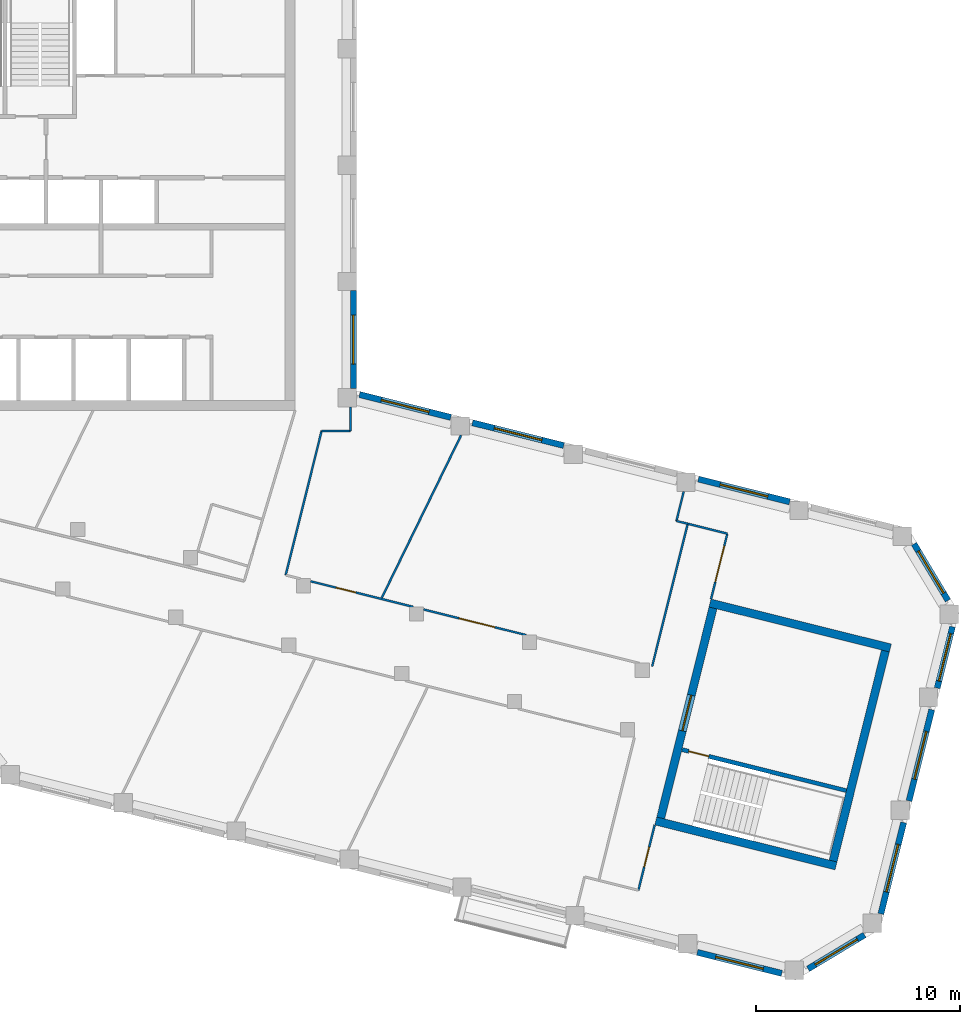
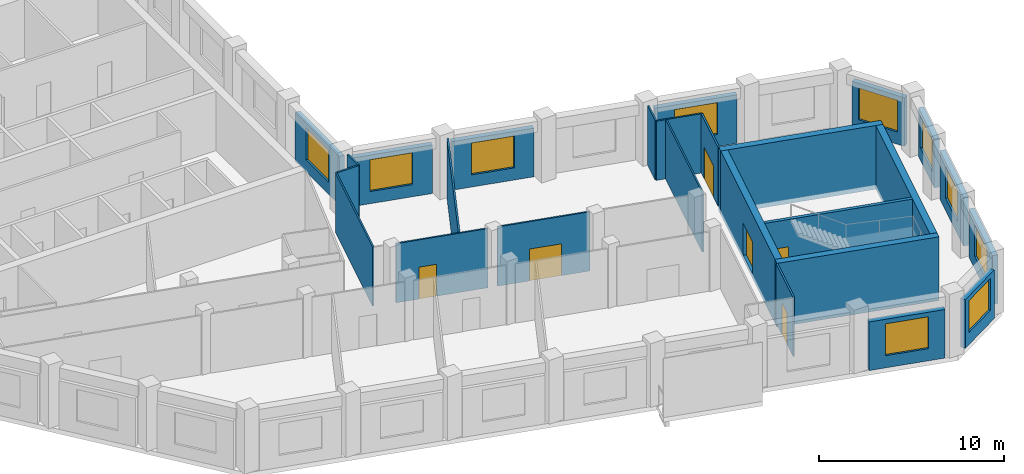
# One storey, part 4 of 8: 27 walls, 10 windows, 6 doors, 16 openings.
"""IFC4 building model written with IfcOpenShell, lengths in metres."""

from ifc_helpers import new_model, si_unit, direction, frame, frame_2d, origin, place, context, subcontext, project, spatial, rectangle, extrude, material, layer, layer_set, type_object, element, fill, save


model = new_model("IFC4")

# Units and contexts
model_context = context("Model", 3, precision=1e-05, world=origin(), true_north=direction((0.0, 1.0)))
body_context = subcontext(model_context, "Body", "Model", "MODEL_VIEW")
ifc_project = project(units=[si_unit("LENGTHUNIT", "METRE"), si_unit("AREAUNIT", "SQUARE_METRE"), si_unit("VOLUMEUNIT", "CUBIC_METRE"), si_unit("PLANEANGLEUNIT", "RADIAN"), si_unit("MASSUNIT", "GRAM", prefix="KILO")], contexts=[model_context])

# Site, building, storey
site_placement = place(None, origin())
site = spatial("IfcSite", under=ifc_project, at=site_placement, CompositionType="ELEMENT")
building_placement = place(site_placement, origin())
building = spatial("IfcBuilding", under=site, at=building_placement, Name="Meshkara Civic Tower", CompositionType="ELEMENT")
storey_placement = place(building_placement, frame((0.0, 0.0, 366.60009765625)))
storey = spatial("IfcBuildingStorey", under=building, at=storey_placement, Name="L84", CompositionType="ELEMENT", Elevation=366.60009765625)

# Wall
ifc_material_1 = material(Name="Corridor wall 100")
ifc_layer_1 = layer(ifc_material_1, 0.10009765625)
ifc_layer_set_1 = layer_set([ifc_layer_1], Name="Corridor wall 100")
wall_type_1 = type_object("IfcWallType", Name="Corridor wall 100", PredefinedType="PARTITIONING", material=ifc_layer_set_1)
wall_1_placement = place(storey_placement, frame((30.3359375, 6.0400390625, 0.0), z_axis=(0.0, 0.0, 1.0), x_axis=(0.2420145387, 0.970272623059, 0.0)))
element("IfcWall", 1, at=wall_1_placement, inside=storey, type_object=wall_type_1, Name="L84-W021", PredefinedType="PARTITIONING", context=body_context, shape_type="SweptSolid", body=[
    extrude(rectangle(XDim=7.2763671875, YDim=0.10009765625, at=frame_2d((3.63818359375, 0.0))), origin(), (0.0, 0.0, 1.0), 3.89990234375),
])

# Wall, opening, door
wall_2_placement = place(storey_placement, frame((31.56103515625, 5.735107421875, 0.0), z_axis=(0.0, 0.0, 1.0), x_axis=(0.970267382462, -0.242035548071, 0.0)))
wall_2 = element("IfcWall", 2, at=wall_2_placement, inside=storey, type_object=wall_type_1, Name="L84-W025", PredefinedType="PARTITIONING", context=body_context, shape_type="SweptSolid", body=[
    extrude(rectangle(XDim=5.169677734375, YDim=0.10009765625, at=frame_2d((2.5849609375, 0.0))), origin(), (0.0, 0.0, 1.0), 3.89990234375),
])
opening_1_placement = place(wall_2_placement, frame((1.280029296875, 0.0, 0.0)))
opening_1 = element("IfcOpeningElement", 3, at=opening_1_placement, cuts=wall_2, Name="Opening L84-D004", PredefinedType="OPENING", context=body_context, shape_type="SweptSolid", body=[
    extrude(rectangle(XDim=1.0, YDim=2.10009765625, at=frame_2d((0.5, 1.050048828125))), frame((0.0, 0.06005859375, 0.0), z_axis=(0.0, -1.0, 0.0), x_axis=(1.0, 0.0, 0.0)), (0.0, 0.0, 1.0), 0.1201171875),
])
ifc_material_2 = material(Name="Door 1000 x 2100")
door_type_1 = type_object("IfcDoorType", Name="Door 1000 x 2100", OperationType="SINGLE_SWING_LEFT", PredefinedType="DOOR", material=ifc_material_2)
door_1_placement = place(opening_1_placement, origin())
door_1 = element("IfcDoor", 4, at=door_1_placement, inside=storey, type_object=door_type_1, Name="L84-D004", OperationType="SINGLE_SWING_LEFT", OverallHeight=2.10009765625, OverallWidth=1.0, PredefinedType="DOOR", context=body_context, shape_type="SweptSolid", body=[
    extrude(rectangle(XDim=1.0, YDim=2.10009765625, at=frame_2d((0.5, 1.050048828125))), frame((0.0, 0.02490234375, 0.0), z_axis=(0.0, -1.0, 0.0), x_axis=(1.0, 0.0, 0.0)), (0.0, 0.0, 1.0), 0.050048828125),
])
fill(opening_1, door_1)

# Walls
wall_3_placement = place(storey_placement, frame((32.096923828125, 13.10009765625, 0.0), z_axis=(0.0, 0.0, 1.0), x_axis=(1.0, 0.0, 0.0)))
element("IfcWall", 5, at=wall_3_placement, inside=storey, type_object=wall_type_1, Name="L84-W026", PredefinedType="PARTITIONING", context=body_context, shape_type="SweptSolid", body=[
    extrude(rectangle(XDim=1.403076171875, YDim=0.10009765625, at=frame_2d((0.70166015625, 0.0))), origin(), (0.0, 0.0, 1.0), 3.89990234375),
])
wall_4_placement = place(storey_placement, frame((33.5, 13.10009765625, 0.0), z_axis=(0.0, 0.0, 1.0), x_axis=(0.0, 1.0, 0.0)))
element("IfcWall", 6, at=wall_4_placement, inside=storey, type_object=wall_type_1, Name="L84-W027", PredefinedType="PARTITIONING", context=body_context, shape_type="SweptSolid", body=[
    extrude(rectangle(XDim=1.1689453125, YDim=0.10009765625, at=frame_2d((0.58447265625, 0.0))), origin(), (0.0, 0.0, 1.0), 3.89990234375),
])

# Wall, opening, door
wall_5_placement = place(storey_placement, frame((42.10888671875, 3.10498046875, 0.0), z_axis=(0.0, 0.0, 1.0), x_axis=(-0.970289531541, 0.241946739969, 0.0)))
wall_5 = element("IfcWall", 7, at=wall_5_placement, inside=storey, type_object=wall_type_1, Name="L84-W030", PredefinedType="PARTITIONING", context=body_context, shape_type="SweptSolid", body=[
    extrude(rectangle(XDim=5.17041015625, YDim=0.10009765625, at=frame_2d((2.585205078125, 0.0))), origin(), (0.0, 0.0, 1.0), 3.89990234375),
])
opening_2_placement = place(wall_5_placement, frame((1.580078125, 0.0, 0.0)))
opening_2 = element("IfcOpeningElement", 8, at=opening_2_placement, cuts=wall_5, Name="Opening L84-D006", PredefinedType="OPENING", context=body_context, shape_type="SweptSolid", body=[
    extrude(rectangle(XDim=1.800048828125, YDim=2.10009765625, at=frame_2d((0.89990234375, 1.050048828125))), frame((0.0, 0.06005859375, 0.0), z_axis=(0.0, -1.0, 0.0), x_axis=(1.0, 0.0, 0.0)), (0.0, 0.0, 1.0), 0.1201171875),
])
ifc_material_3 = material(Name="Door pair 1800 x 2100")
door_type_2 = type_object("IfcDoorType", Name="Door pair 1800 x 2100", OperationType="SINGLE_SWING_LEFT", PredefinedType="DOOR", material=ifc_material_3)
door_2_placement = place(opening_2_placement, origin())
door_2 = element("IfcDoor", 9, at=door_2_placement, inside=storey, type_object=door_type_2, Name="L84-D006", OperationType="DOUBLE_DOOR_SINGLE_SWING", OverallHeight=2.10009765625, OverallWidth=1.800048828125, PredefinedType="DOOR", context=body_context, shape_type="SweptSolid", body=[
    extrude(rectangle(XDim=1.800048828125, YDim=2.10009765625, at=frame_2d((0.89990234375, 1.050048828125))), frame((0.0, 0.02490234375, 0.0), z_axis=(0.0, -1.0, 0.0), x_axis=(1.0, 0.0, 0.0)), (0.0, 0.0, 1.0), 0.050048828125),
])
fill(opening_2, door_2)

wall_6_placement = place(storey_placement, frame((47.611083984375, -9.39697265625, 0.0), z_axis=(0.0, 0.0, 1.0), x_axis=(0.241786986316, 0.970329352977, 0.0)))
wall_6 = element("IfcWall", 10, at=wall_6_placement, inside=storey, type_object=wall_type_1, Name="L84-W033", PredefinedType="PARTITIONING", context=body_context, shape_type="SweptSolid", body=[
    extrude(rectangle(XDim=3.2998046875, YDim=0.10009765625, at=frame_2d((1.64990234375, 0.0))), origin(), (0.0, 0.0, 1.0), 3.89990234375),
])
opening_3_placement = place(wall_6_placement, frame((1.179931640625, 0.0, 0.0)))
opening_3 = element("IfcOpeningElement", 11, at=opening_3_placement, cuts=wall_6, Name="Opening L84-D001", PredefinedType="OPENING", context=body_context, shape_type="SweptSolid", body=[
    extrude(rectangle(XDim=1.0, YDim=2.10009765625, at=frame_2d((0.5, 1.050048828125))), frame((0.0, 0.06005859375, 0.0), z_axis=(0.0, -1.0, 0.0), x_axis=(1.0, 0.0, 0.0)), (0.0, 0.0, 1.0), 0.1201171875),
])
door_3_placement = place(opening_3_placement, origin())
door_3 = element("IfcDoor", 12, at=door_3_placement, inside=storey, type_object=door_type_1, Name="L84-D001", OperationType="SINGLE_SWING_LEFT", OverallHeight=2.10009765625, OverallWidth=1.0, PredefinedType="DOOR", context=body_context, shape_type="SweptSolid", body=[
    extrude(rectangle(XDim=1.0, YDim=2.10009765625, at=frame_2d((0.5, 1.050048828125))), frame((0.0, 0.02490234375, 0.0), z_axis=(0.0, -1.0, 0.0), x_axis=(1.0, 0.0, 0.0)), (0.0, 0.0, 1.0), 0.050048828125),
])
fill(opening_3, door_3)

# Wall
wall_7_placement = place(storey_placement, frame((50.02490234375, 8.552001953125, 0.0), z_axis=(0.0, 0.0, 1.0), x_axis=(-0.241937193493, -0.970291911955, 0.0)))
element("IfcWall", 13, at=wall_7_placement, inside=storey, type_object=wall_type_1, Name="L84-W035", PredefinedType="PARTITIONING", context=body_context, shape_type="SweptSolid", body=[
    extrude(rectangle(XDim=7.199951171875, YDim=0.10009765625, at=frame_2d((3.60009765625, 0.0))), origin(), (0.0, 0.0, 1.0), 3.89990234375),
])

# Wall, opening, door
wall_8_placement = place(storey_placement, frame((51.1669921875, 4.865966796875, 0.0), z_axis=(0.0, 0.0, 1.0), x_axis=(0.241839284064, 0.97031631991, 0.0)))
wall_8 = element("IfcWall", 14, at=wall_8_placement, inside=storey, type_object=wall_type_1, Name="L84-W036", PredefinedType="PARTITIONING", context=body_context, shape_type="SweptSolid", body=[
    extrude(rectangle(XDim=3.300048828125, YDim=0.10009765625, at=frame_2d((1.64990234375, 0.0))), origin(), (0.0, 0.0, 1.0), 3.89990234375),
])
opening_4_placement = place(wall_8_placement, frame((0.8798828125, 0.0, 0.0)))
opening_4 = element("IfcOpeningElement", 15, at=opening_4_placement, cuts=wall_8, Name="Opening L84-D011", PredefinedType="OPENING", context=body_context, shape_type="SweptSolid", body=[
    extrude(rectangle(XDim=1.800048828125, YDim=2.10009765625, at=frame_2d((0.89990234375, 1.050048828125))), frame((0.0, 0.06005859375, 0.0), z_axis=(0.0, -1.0, 0.0), x_axis=(1.0, 0.0, 0.0)), (0.0, 0.0, 1.0), 0.1201171875),
])
door_4_placement = place(opening_4_placement, origin())
door_4 = element("IfcDoor", 16, at=door_4_placement, inside=storey, type_object=door_type_2, Name="L84-D011", OperationType="DOUBLE_DOOR_SINGLE_SWING", OverallHeight=2.10009765625, OverallWidth=1.800048828125, PredefinedType="DOOR", context=body_context, shape_type="SweptSolid", body=[
    extrude(rectangle(XDim=1.800048828125, YDim=2.10009765625, at=frame_2d((0.89990234375, 1.050048828125))), frame((0.0, 0.02490234375, 0.0), z_axis=(0.0, -1.0, 0.0), x_axis=(1.0, 0.0, 0.0)), (0.0, 0.0, 1.0), 0.050048828125),
])
fill(opening_4, door_4)

# Wall
wall_9_placement = place(storey_placement, frame((51.965087890625, 8.068115234375, 0.0), z_axis=(0.0, 0.0, 1.0), x_axis=(-0.970278804284, 0.241989755894, 0.0)))
element("IfcWall", 17, at=wall_9_placement, inside=storey, type_object=wall_type_1, Name="L84-W037", PredefinedType="PARTITIONING", context=body_context, shape_type="SweptSolid", body=[
    extrude(rectangle(XDim=1.99951171875, YDim=0.10009765625, at=frame_2d((0.999755859375, 0.0))), origin(), (0.0, 0.0, 1.0), 3.89990234375),
])

# Wall, opening, window
ifc_material_4 = material(Name="Insulated infill panel with bronze anodised aluminium cladding", Category="aluminium")
ifc_layer_2 = layer(ifc_material_4, 0.300048828125)
ifc_layer_set_2 = layer_set([ifc_layer_2], Name="EXTERNAL INFILL WALL 300")
wall_type_2 = type_object("IfcWallType", Name="EXTERNAL INFILL WALL 300", PredefinedType="SOLIDWALL", material=ifc_layer_set_2)
wall_10_placement = place(storey_placement, frame((55.01611328125, 9.6259765625, 0.0), z_axis=(0.0, 0.0, 1.0), x_axis=(-0.970298093093, 0.241912402618, 0.0)))
wall_10 = element("IfcWall", 18, at=wall_10_placement, inside=storey, type_object=wall_type_2, Name="External wall", PredefinedType="SOLIDWALL", context=body_context, shape_type="SweptSolid", body=[
    extrude(rectangle(XDim=4.609130859375, YDim=0.300048828125, at=frame_2d((2.3046875, 0.0))), origin(), (0.0, 0.0, 1.0), 3.199951171875),
])
opening_5_placement = place(wall_10_placement, frame((1.10498046875, 0.0, 0.800048828125)))
opening_5 = element("IfcOpeningElement", 19, at=opening_5_placement, cuts=wall_10, Name="Opening W7", PredefinedType="OPENING", context=body_context, shape_type="SweptSolid", body=[
    extrude(rectangle(XDim=2.39990234375, YDim=2.10009765625, at=frame_2d((1.199951171875, 1.050048828125))), frame((0.0, 0.159912109375, 0.0), z_axis=(0.0, -1.0, 0.0), x_axis=(1.0, 0.0, 0.0)), (0.0, 0.0, 1.0), 0.320068359375),
])
ifc_material_5 = material(Name="Tinted double glazing", Category="glass")
window_type = type_object("IfcWindowType", Name="WINDOW 2400x2100", PartitioningType="DOUBLE_PANEL_VERTICAL", PredefinedType="WINDOW", material=ifc_material_5)
window_1_placement = place(opening_5_placement, origin())
window_1 = element("IfcWindow", 20, at=window_1_placement, inside=storey, type_object=window_type, Name="Window", OverallHeight=2.10009765625, OverallWidth=2.39990234375, PartitioningType="DOUBLE_PANEL_VERTICAL", PredefinedType="WINDOW", context=body_context, shape_type="SweptSolid", body=[
    extrude(rectangle(XDim=2.39990234375, YDim=2.10009765625, at=frame_2d((1.199951171875, 1.050048828125))), frame((0.0, 0.030029296875, 0.0), z_axis=(0.0, -1.0, 0.0), x_axis=(1.0, 0.0, 0.0)), (0.0, 0.0, 1.0), 0.06005859375),
])
fill(opening_5, window_1)

wall_11_placement = place(storey_placement, frame((43.9541015625, 12.384033203125, 0.0), z_axis=(0.0, 0.0, 1.0), x_axis=(-0.970285689791, 0.241962146187, 0.0)))
wall_11 = element("IfcWall", 21, at=wall_11_placement, inside=storey, type_object=wall_type_2, Name="External wall", PredefinedType="SOLIDWALL", context=body_context, shape_type="SweptSolid", body=[
    extrude(rectangle(XDim=4.608154296875, YDim=0.300048828125, at=frame_2d((2.30419921875, 0.0))), origin(), (0.0, 0.0, 1.0), 3.199951171875),
])
opening_6_placement = place(wall_11_placement, frame((1.10400390625, 0.0, 0.800048828125)))
opening_6 = element("IfcOpeningElement", 22, at=opening_6_placement, cuts=wall_11, Name="Opening W7", PredefinedType="OPENING", context=body_context, shape_type="SweptSolid", body=[
    extrude(rectangle(XDim=2.39990234375, YDim=2.10009765625, at=frame_2d((1.199951171875, 1.050048828125))), frame((0.0, 0.159912109375, 0.0), z_axis=(0.0, -1.0, 0.0), x_axis=(1.0, 0.0, 0.0)), (0.0, 0.0, 1.0), 0.320068359375),
])
window_2_placement = place(opening_6_placement, origin())
window_2 = element("IfcWindow", 23, at=window_2_placement, inside=storey, type_object=window_type, Name="Window", OverallHeight=2.10009765625, OverallWidth=2.39990234375, PartitioningType="DOUBLE_PANEL_VERTICAL", PredefinedType="WINDOW", context=body_context, shape_type="SweptSolid", body=[
    extrude(rectangle(XDim=2.39990234375, YDim=2.10009765625, at=frame_2d((1.199951171875, 1.050048828125))), frame((0.0, 0.030029296875, 0.0), z_axis=(0.0, -1.0, 0.0), x_axis=(1.0, 0.0, 0.0)), (0.0, 0.0, 1.0), 0.06005859375),
])
fill(opening_6, window_2)

wall_12_placement = place(storey_placement, frame((38.424072265625, 13.762939453125, 0.0), z_axis=(0.0, 0.0, 1.0), x_axis=(-0.970248341479, 0.24211186641, 0.0)))
wall_12 = element("IfcWall", 24, at=wall_12_placement, inside=storey, type_object=wall_type_2, Name="External wall", PredefinedType="SOLIDWALL", context=body_context, shape_type="SweptSolid", body=[
    extrude(rectangle(XDim=4.609375, YDim=0.300048828125, at=frame_2d((2.3046875, 0.0))), origin(), (0.0, 0.0, 1.0), 3.199951171875),
])
opening_7_placement = place(wall_12_placement, frame((1.10498046875, 0.0, 0.800048828125)))
opening_7 = element("IfcOpeningElement", 25, at=opening_7_placement, cuts=wall_12, Name="Opening W7", PredefinedType="OPENING", context=body_context, shape_type="SweptSolid", body=[
    extrude(rectangle(XDim=2.39990234375, YDim=2.10009765625, at=frame_2d((1.199951171875, 1.050048828125))), frame((0.0, 0.159912109375, 0.0), z_axis=(0.0, -1.0, 0.0), x_axis=(1.0, 0.0, 0.0)), (0.0, 0.0, 1.0), 0.320068359375),
])
window_3_placement = place(opening_7_placement, origin())
window_3 = element("IfcWindow", 26, at=window_3_placement, inside=storey, type_object=window_type, Name="Window", OverallHeight=2.10009765625, OverallWidth=2.39990234375, PartitioningType="DOUBLE_PANEL_VERTICAL", PredefinedType="WINDOW", context=body_context, shape_type="SweptSolid", body=[
    extrude(rectangle(XDim=2.39990234375, YDim=2.10009765625, at=frame_2d((1.199951171875, 1.050048828125))), frame((0.0, 0.030029296875, 0.0), z_axis=(0.0, -1.0, 0.0), x_axis=(1.0, 0.0, 0.0)), (0.0, 0.0, 1.0), 0.06005859375),
])
fill(opening_7, window_3)

wall_13_placement = place(storey_placement, frame((33.64990234375, 15.1689453125, 0.0), z_axis=(0.0, 0.0, 1.0), x_axis=(0.0, 1.0, 0.0)))
wall_13 = element("IfcWall", 27, at=wall_13_placement, inside=storey, type_object=wall_type_2, Name="External wall", PredefinedType="SOLIDWALL", context=body_context, shape_type="SweptSolid", body=[
    extrude(rectangle(XDim=4.800048828125, YDim=0.300048828125, at=frame_2d((2.39990234375, 0.0))), origin(), (0.0, 0.0, 1.0), 3.199951171875),
])
opening_8_placement = place(wall_13_placement, frame((1.199951171875, 0.0, 0.800048828125)))
opening_8 = element("IfcOpeningElement", 28, at=opening_8_placement, cuts=wall_13, Name="Opening W7", PredefinedType="OPENING", context=body_context, shape_type="SweptSolid", body=[
    extrude(rectangle(XDim=2.39990234375, YDim=2.10009765625, at=frame_2d((1.199951171875, 1.050048828125))), frame((0.0, 0.159912109375, 0.0), z_axis=(0.0, -1.0, 0.0), x_axis=(1.0, 0.0, 0.0)), (0.0, 0.0, 1.0), 0.320068359375),
])
window_4_placement = place(opening_8_placement, origin())
window_4 = element("IfcWindow", 29, at=window_4_placement, inside=storey, type_object=window_type, Name="Window", OverallHeight=2.10009765625, OverallWidth=2.39990234375, PartitioningType="DOUBLE_PANEL_VERTICAL", PredefinedType="WINDOW", context=body_context, shape_type="SweptSolid", body=[
    extrude(rectangle(XDim=2.39990234375, YDim=2.10009765625, at=frame_2d((1.199951171875, 1.050048828125))), frame((0.0, 0.030029296875, 0.0), z_axis=(0.0, -1.0, 0.0), x_axis=(1.0, 0.0, 0.0)), (0.0, 0.0, 1.0), 0.06005859375),
])
fill(opening_8, window_4)

wall_14_placement = place(storey_placement, frame((50.491943359375, -12.43505859375, 0.0), z_axis=(0.0, 0.0, 1.0), x_axis=(0.970323940244, -0.241808707429, 0.0)))
wall_14 = element("IfcWall", 30, at=wall_14_placement, inside=storey, type_object=wall_type_2, Name="External wall", PredefinedType="SOLIDWALL", context=body_context, shape_type="SweptSolid", body=[
    extrude(rectangle(XDim=4.267822265625, YDim=0.300048828125, at=frame_2d((2.1337890625, 0.0))), origin(), (0.0, 0.0, 1.0), 3.199951171875),
])
opening_9_placement = place(wall_14_placement, frame((0.93408203125, 0.0, 0.800048828125)))
opening_9 = element("IfcOpeningElement", 31, at=opening_9_placement, cuts=wall_14, Name="Opening W7", PredefinedType="OPENING", context=body_context, shape_type="SweptSolid", body=[
    extrude(rectangle(XDim=2.39990234375, YDim=2.10009765625, at=frame_2d((1.199951171875, 1.050048828125))), frame((0.0, 0.159912109375, 0.0), z_axis=(0.0, -1.0, 0.0), x_axis=(1.0, 0.0, 0.0)), (0.0, 0.0, 1.0), 0.320068359375),
])
window_5_placement = place(opening_9_placement, origin())
window_5 = element("IfcWindow", 32, at=window_5_placement, inside=storey, type_object=window_type, Name="Window", OverallHeight=2.10009765625, OverallWidth=2.39990234375, PartitioningType="DOUBLE_PANEL_VERTICAL", PredefinedType="WINDOW", context=body_context, shape_type="SweptSolid", body=[
    extrude(rectangle(XDim=2.39990234375, YDim=2.10009765625, at=frame_2d((1.199951171875, 1.050048828125))), frame((0.0, 0.030029296875, 0.0), z_axis=(0.0, -1.0, 0.0), x_axis=(1.0, 0.0, 0.0)), (0.0, 0.0, 1.0), 0.06005859375),
])
fill(opening_9, window_5)

wall_15_placement = place(storey_placement, frame((55.9189453125, -13.2470703125, 0.0), z_axis=(0.0, 0.0, 1.0), x_axis=(0.857239224167, 0.514918355226, 0.0)))
wall_15 = element("IfcWall", 33, at=wall_15_placement, inside=storey, type_object=wall_type_2, Name="External wall", PredefinedType="SOLIDWALL", context=body_context, shape_type="SweptSolid", body=[
    extrude(rectangle(XDim=3.22802734375, YDim=0.300048828125, at=frame_2d((1.614013671875, 0.0))), origin(), (0.0, 0.0, 1.0), 3.199951171875),
])
opening_10_placement = place(wall_15_placement, frame((0.4140625, 0.0, 0.800048828125)))
opening_10 = element("IfcOpeningElement", 34, at=opening_10_placement, cuts=wall_15, Name="Opening W7", PredefinedType="OPENING", context=body_context, shape_type="SweptSolid", body=[
    extrude(rectangle(XDim=2.39990234375, YDim=2.10009765625, at=frame_2d((1.199951171875, 1.050048828125))), frame((0.0, 0.159912109375, 0.0), z_axis=(0.0, -1.0, 0.0), x_axis=(1.0, 0.0, 0.0)), (0.0, 0.0, 1.0), 0.320068359375),
])
window_6_placement = place(opening_10_placement, origin())
window_6 = element("IfcWindow", 35, at=window_6_placement, inside=storey, type_object=window_type, Name="Window", OverallHeight=2.10009765625, OverallWidth=2.39990234375, PartitioningType="DOUBLE_PANEL_VERTICAL", PredefinedType="WINDOW", context=body_context, shape_type="SweptSolid", body=[
    extrude(rectangle(XDim=2.39990234375, YDim=2.10009765625, at=frame_2d((1.199951171875, 1.050048828125))), frame((0.0, 0.030029296875, 0.0), z_axis=(0.0, -1.0, 0.0), x_axis=(1.0, 0.0, 0.0)), (0.0, 0.0, 1.0), 0.06005859375),
])
fill(opening_10, window_6)

wall_16_placement = place(storey_placement, frame((59.485107421875, -10.552001953125, 0.0), z_axis=(0.0, 0.0, 1.0), x_axis=(0.241924836652, 0.970294992984, 0.0)))
wall_16 = element("IfcWall", 36, at=wall_16_placement, inside=storey, type_object=wall_type_2, Name="External wall", PredefinedType="SOLIDWALL", context=body_context, shape_type="SweptSolid", body=[
    extrude(rectangle(XDim=4.60888671875, YDim=0.300048828125, at=frame_2d((2.304443359375, 0.0))), origin(), (0.0, 0.0, 1.0), 3.199951171875),
])
opening_11_placement = place(wall_16_placement, frame((1.10498046875, 0.0, 0.800048828125)))
opening_11 = element("IfcOpeningElement", 37, at=opening_11_placement, cuts=wall_16, Name="Opening W7", PredefinedType="OPENING", context=body_context, shape_type="SweptSolid", body=[
    extrude(rectangle(XDim=2.39990234375, YDim=2.10009765625, at=frame_2d((1.199951171875, 1.050048828125))), frame((0.0, 0.159912109375, 0.0), z_axis=(0.0, -1.0, 0.0), x_axis=(1.0, 0.0, 0.0)), (0.0, 0.0, 1.0), 0.320068359375),
])
window_7_placement = place(opening_11_placement, origin())
window_7 = element("IfcWindow", 38, at=window_7_placement, inside=storey, type_object=window_type, Name="Window", OverallHeight=2.10009765625, OverallWidth=2.39990234375, PartitioningType="DOUBLE_PANEL_VERTICAL", PredefinedType="WINDOW", context=body_context, shape_type="SweptSolid", body=[
    extrude(rectangle(XDim=2.39990234375, YDim=2.10009765625, at=frame_2d((1.199951171875, 1.050048828125))), frame((0.0, 0.030029296875, 0.0), z_axis=(0.0, -1.0, 0.0), x_axis=(1.0, 0.0, 0.0)), (0.0, 0.0, 1.0), 0.06005859375),
])
fill(opening_11, window_7)

wall_17_placement = place(storey_placement, frame((60.864013671875, -5.02099609375, 0.0), z_axis=(0.0, 0.0, 1.0), x_axis=(0.241775045801, 0.97033232824, 0.0)))
wall_17 = element("IfcWall", 39, at=wall_17_placement, inside=storey, type_object=wall_type_2, Name="External wall", PredefinedType="SOLIDWALL", context=body_context, shape_type="SweptSolid", body=[
    extrude(rectangle(XDim=4.607666015625, YDim=0.300048828125, at=frame_2d((2.3037109375, 0.0))), origin(), (0.0, 0.0, 1.0), 3.199951171875),
])
opening_12_placement = place(wall_17_placement, frame((1.10400390625, 0.0, 0.800048828125)))
opening_12 = element("IfcOpeningElement", 40, at=opening_12_placement, cuts=wall_17, Name="Opening W7", PredefinedType="OPENING", context=body_context, shape_type="SweptSolid", body=[
    extrude(rectangle(XDim=2.39990234375, YDim=2.10009765625, at=frame_2d((1.199951171875, 1.050048828125))), frame((0.0, 0.159912109375, 0.0), z_axis=(0.0, -1.0, 0.0), x_axis=(1.0, 0.0, 0.0)), (0.0, 0.0, 1.0), 0.320068359375),
])
window_8_placement = place(opening_12_placement, origin())
window_8 = element("IfcWindow", 41, at=window_8_placement, inside=storey, type_object=window_type, Name="Window", OverallHeight=2.10009765625, OverallWidth=2.39990234375, PartitioningType="DOUBLE_PANEL_VERTICAL", PredefinedType="WINDOW", context=body_context, shape_type="SweptSolid", body=[
    extrude(rectangle(XDim=2.39990234375, YDim=2.10009765625, at=frame_2d((1.199951171875, 1.050048828125))), frame((0.0, 0.030029296875, 0.0), z_axis=(0.0, -1.0, 0.0), x_axis=(1.0, 0.0, 0.0)), (0.0, 0.0, 1.0), 0.06005859375),
])
fill(opening_12, window_8)

wall_18_placement = place(storey_placement, frame((62.241943359375, 0.509033203125, 0.0), z_axis=(0.0, 0.0, 1.0), x_axis=(0.241941811838, 0.970290760383, 0.0)))
wall_18 = element("IfcWall", 42, at=wall_18_placement, inside=storey, type_object=wall_type_2, Name="External wall", PredefinedType="SOLIDWALL", context=body_context, shape_type="SweptSolid", body=[
    extrude(rectangle(XDim=3.095947265625, YDim=0.300048828125, at=frame_2d((1.5478515625, 0.0))), origin(), (0.0, 0.0, 1.0), 3.199951171875),
])
opening_13_placement = place(wall_18_placement, frame((0.347900390625, 0.0, 0.800048828125)))
opening_13 = element("IfcOpeningElement", 43, at=opening_13_placement, cuts=wall_18, Name="Opening W7", PredefinedType="OPENING", context=body_context, shape_type="SweptSolid", body=[
    extrude(rectangle(XDim=2.39990234375, YDim=2.10009765625, at=frame_2d((1.199951171875, 1.050048828125))), frame((0.0, 0.159912109375, 0.0), z_axis=(0.0, -1.0, 0.0), x_axis=(1.0, 0.0, 0.0)), (0.0, 0.0, 1.0), 0.320068359375),
])
window_9_placement = place(opening_13_placement, origin())
window_9 = element("IfcWindow", 44, at=window_9_placement, inside=storey, type_object=window_type, Name="Window", OverallHeight=2.10009765625, OverallWidth=2.39990234375, PartitioningType="DOUBLE_PANEL_VERTICAL", PredefinedType="WINDOW", context=body_context, shape_type="SweptSolid", body=[
    extrude(rectangle(XDim=2.39990234375, YDim=2.10009765625, at=frame_2d((1.199951171875, 1.050048828125))), frame((0.0, 0.030029296875, 0.0), z_axis=(0.0, -1.0, 0.0), x_axis=(1.0, 0.0, 0.0)), (0.0, 0.0, 1.0), 0.06005859375),
])
fill(opening_13, window_9)

wall_19_placement = place(storey_placement, frame((62.77099609375, 4.799072265625, 0.0), z_axis=(0.0, 0.0, 1.0), x_axis=(-0.514951742604, 0.857219168468, 0.0)))
wall_19 = element("IfcWall", 45, at=wall_19_placement, inside=storey, type_object=wall_type_2, Name="External wall", PredefinedType="SOLIDWALL", context=body_context, shape_type="SweptSolid", body=[
    extrude(rectangle(XDim=3.227783203125, YDim=0.300048828125, at=frame_2d((1.61376953125, 0.0))), origin(), (0.0, 0.0, 1.0), 3.199951171875),
])
opening_14_placement = place(wall_19_placement, frame((0.4140625, 0.0, 0.800048828125)))
opening_14 = element("IfcOpeningElement", 46, at=opening_14_placement, cuts=wall_19, Name="Opening W7", PredefinedType="OPENING", context=body_context, shape_type="SweptSolid", body=[
    extrude(rectangle(XDim=2.39990234375, YDim=2.10009765625, at=frame_2d((1.199951171875, 1.050048828125))), frame((0.0, 0.159912109375, 0.0), z_axis=(0.0, -1.0, 0.0), x_axis=(1.0, 0.0, 0.0)), (0.0, 0.0, 1.0), 0.320068359375),
])
window_10_placement = place(opening_14_placement, origin())
window_10 = element("IfcWindow", 47, at=window_10_placement, inside=storey, type_object=window_type, Name="Window", OverallHeight=2.10009765625, OverallWidth=2.39990234375, PartitioningType="DOUBLE_PANEL_VERTICAL", PredefinedType="WINDOW", context=body_context, shape_type="SweptSolid", body=[
    extrude(rectangle(XDim=2.39990234375, YDim=2.10009765625, at=frame_2d((1.199951171875, 1.050048828125))), frame((0.0, 0.030029296875, 0.0), z_axis=(0.0, -1.0, 0.0), x_axis=(1.0, 0.0, 0.0)), (0.0, 0.0, 1.0), 0.06005859375),
])
fill(opening_14, window_10)

# Walls
ifc_material_6 = material(Name="Concrete C50", Category="concrete")
ifc_layer_3 = layer(ifc_material_6, 0.39990234375)
ifc_layer_set_3 = layer_set([ifc_layer_3], Name="End core ring wall 400 C50")
wall_type_3 = type_object("IfcWallType", Name="End core ring wall 400 C50", PredefinedType="SHEAR", material=ifc_layer_set_3)
wall_20_placement = place(storey_placement, frame((48.4580078125, -6.0009765625, -0.300048828125), z_axis=(0.0, 0.0, 1.0), x_axis=(0.970281225948, -0.241980045814, 0.0)))
element("IfcWall", 48, at=wall_20_placement, inside=storey, type_object=wall_type_3, Name="L84-C032", PredefinedType="SHEAR", context=body_context, shape_type="SweptSolid", body=[
    extrude(rectangle(XDim=9.099609375, YDim=0.39990234375, at=frame_2d((4.5498046875, 0.0))), origin(), (0.0, 0.0, 1.0), 4.199951171875),
])
wall_21_placement = place(storey_placement, frame((51.118896484375, 4.672119140625, -0.300048828125), z_axis=(0.0, 0.0, 1.0), x_axis=(0.970300121521, -0.241904266553, 0.0)))
element("IfcWall", 49, at=wall_21_placement, inside=storey, type_object=wall_type_3, Name="L84-C033", PredefinedType="SHEAR", context=body_context, shape_type="SweptSolid", body=[
    extrude(rectangle(XDim=9.099365234375, YDim=0.39990234375, at=frame_2d((4.5498046875, 0.0))), origin(), (0.0, 0.0, 1.0), 4.199951171875),
])

# Wall, opening, door
wall_22_placement = place(storey_placement, frame((48.699951171875, -5.85595703125, -0.300048828125), z_axis=(0.0, 0.0, 1.0), x_axis=(0.241869030534, 0.970308905488, 0.0)))
wall_22 = element("IfcWall", 50, at=wall_22_placement, inside=storey, type_object=wall_type_3, Name="L84-C034", PredefinedType="SHEAR", context=body_context, shape_type="SweptSolid", body=[
    extrude(rectangle(XDim=10.6005859375, YDim=0.39990234375, at=frame_2d((5.30029296875, 0.0))), origin(), (0.0, 0.0, 1.0), 4.199951171875),
])
opening_15_placement = place(wall_22_placement, frame((4.39990234375, 0.0, 0.300048828125)))
opening_15 = element("IfcOpeningElement", 51, at=opening_15_placement, cuts=wall_22, Name="Opening L84-K202", PredefinedType="OPENING", context=body_context, shape_type="SweptSolid", body=[
    extrude(rectangle(XDim=1.800048828125, YDim=2.10009765625, at=frame_2d((0.89990234375, 1.050048828125))), frame((0.0, 0.2099609375, 0.0), z_axis=(0.0, -1.0, 0.0), x_axis=(1.0, 0.0, 0.0)), (0.0, 0.0, 1.0), 0.419921875),
])
ifc_material_7 = material(Name="Fire-rated door leaf in steel frame", Category="steel")
door_type_3 = type_object("IfcDoorType", Name="Core double door 1800 EI 60", OperationType="DOUBLE_DOOR_SINGLE_SWING", PredefinedType="DOOR", material=ifc_material_7)
door_5_placement = place(opening_15_placement, origin())
door_5 = element("IfcDoor", 52, at=door_5_placement, inside=storey, type_object=door_type_3, Name="L84-K202", OperationType="DOUBLE_DOOR_SINGLE_SWING", OverallHeight=2.10009765625, OverallWidth=1.800048828125, PredefinedType="DOOR", context=body_context, shape_type="SweptSolid", body=[
    extrude(rectangle(XDim=1.800048828125, YDim=2.10009765625, at=frame_2d((0.89990234375, 1.050048828125))), frame((0.0, 0.02490234375, 0.0), z_axis=(0.0, -1.0, 0.0), x_axis=(1.0, 0.0, 0.0)), (0.0, 0.0, 1.0), 0.050048828125),
])
fill(opening_15, door_5)

# Walls
wall_23_placement = place(storey_placement, frame((57.14208984375, -7.9599609375, -0.300048828125), z_axis=(0.0, 0.0, 1.0), x_axis=(0.241890652548, 0.970303515509, 0.0)))
element("IfcWall", 53, at=wall_23_placement, inside=storey, type_object=wall_type_3, Name="L84-C035", PredefinedType="SHEAR", context=body_context, shape_type="SweptSolid", body=[
    extrude(rectangle(XDim=10.599609375, YDim=0.39990234375, at=frame_2d((5.2998046875, 0.0))), origin(), (0.0, 0.0, 1.0), 4.199951171875),
])
ifc_material_8 = material(Name="Partition 100")
ifc_layer_4 = layer(ifc_material_8, 0.10009765625)
ifc_layer_set_4 = layer_set([ifc_layer_4], Name="Partition 100")
wall_type_4 = type_object("IfcWallType", Name="Partition 100", PredefinedType="PARTITIONING", material=ifc_layer_set_4)
wall_24_placement = place(storey_placement, frame((35.0439453125, 4.927978515625, 0.0), z_axis=(0.0, 0.0, 1.0), x_axis=(0.438439378179, 0.898760764421, 0.0)))
element("IfcWall", 54, at=wall_24_placement, inside=storey, type_object=wall_type_4, Name="L84-W051", PredefinedType="PARTITIONING", context=body_context, shape_type="SweptSolid", body=[
    extrude(rectangle(XDim=8.85888671875, YDim=0.10009765625, at=frame_2d((4.429443359375, 0.0))), origin(), (0.0, 0.0, 1.0), 3.89990234375),
])
wall_25_placement = place(storey_placement, frame((49.470947265625, 8.68994140625, 0.0), z_axis=(0.0, 0.0, 1.0), x_axis=(0.241646512959, 0.970364345375, 0.0)))
element("IfcWall", 55, at=wall_25_placement, inside=storey, type_object=wall_type_4, Name="L84-W054", PredefinedType="PARTITIONING", context=body_context, shape_type="SweptSolid", body=[
    extrude(rectangle(XDim=1.486083984375, YDim=0.10009765625, at=frame_2d((0.7431640625, 0.0))), origin(), (0.0, 0.0, 1.0), 3.89990234375),
])
wall_26_placement = place(storey_placement, frame((50.029052734375, 8.551025390625, 0.0), z_axis=(0.0, 0.0, 1.0), x_axis=(-0.970391687927, 0.241536688727, 0.0)))
element("IfcWall", 56, at=wall_26_placement, inside=storey, type_object=wall_type_4, Name="L84-W055", PredefinedType="PARTITIONING", context=body_context, shape_type="SweptSolid", body=[
    extrude(rectangle(XDim=0.5751953125, YDim=0.10009765625, at=frame_2d((0.28759765625, 0.0))), origin(), (0.0, 0.0, 1.0), 3.89990234375),
])

# Wall, opening, door
ifc_material_9 = material(Name="Concrete C40/50", Category="concrete")
ifc_layer_5 = layer(ifc_material_9, 0.199951171875)
ifc_layer_set_5 = layer_set([ifc_layer_5], Name="Stair enclosure wall 200 C40/50")
wall_type_5 = type_object("IfcWallType", Name="Stair enclosure wall 200 C40/50", PredefinedType="SOLIDWALL", material=ifc_layer_set_5)
wall_27_placement = place(storey_placement, frame((49.740966796875, -2.508056640625, 0.0), z_axis=(0.0, 0.0, 1.0), x_axis=(0.970289402158, -0.241947258837, 0.0)))
wall_27 = element("IfcWall", 57, at=wall_27_placement, inside=storey, type_object=wall_type_5, Name="L84-C036", PredefinedType="SOLIDWALL", context=body_context, shape_type="SweptSolid", body=[
    extrude(rectangle(XDim=8.299560546875, YDim=0.199951171875, at=frame_2d((4.14990234375, 0.0))), origin(), (0.0, 0.0, 1.0), 3.89990234375),
])
opening_16_placement = place(wall_27_placement, frame((0.35009765625, 0.0, 0.0)))
opening_16 = element("IfcOpeningElement", 58, at=opening_16_placement, cuts=wall_27, Name="Opening L84-K201", PredefinedType="OPENING", context=body_context, shape_type="SweptSolid", body=[
    extrude(rectangle(XDim=1.0, YDim=2.10009765625, at=frame_2d((0.5, 1.050048828125))), frame((0.0, 0.10986328125, 0.0), z_axis=(0.0, -1.0, 0.0), x_axis=(1.0, 0.0, 0.0)), (0.0, 0.0, 1.0), 0.219970703125),
])
ifc_material_10 = material(Name="Fire-rated door leaf in steel frame", Category="steel")
door_type_4 = type_object("IfcDoorType", Name="Stair door 1000 EI 120", OperationType="SINGLE_SWING_LEFT", PredefinedType="DOOR", material=ifc_material_10)
door_6_placement = place(opening_16_placement, origin())
door_6 = element("IfcDoor", 59, at=door_6_placement, inside=storey, type_object=door_type_4, Name="L84-K201", OperationType="SINGLE_SWING_LEFT", OverallHeight=2.10009765625, OverallWidth=1.0, PredefinedType="DOOR", context=body_context, shape_type="SweptSolid", body=[
    extrude(rectangle(XDim=1.0, YDim=2.10009765625, at=frame_2d((0.5, 1.050048828125))), frame((0.0, 0.02490234375, 0.0), z_axis=(0.0, -1.0, 0.0), x_axis=(1.0, 0.0, 0.0)), (0.0, 0.0, 1.0), 0.050048828125),
])
fill(opening_16, door_6)

save(model, "model.ifc")
